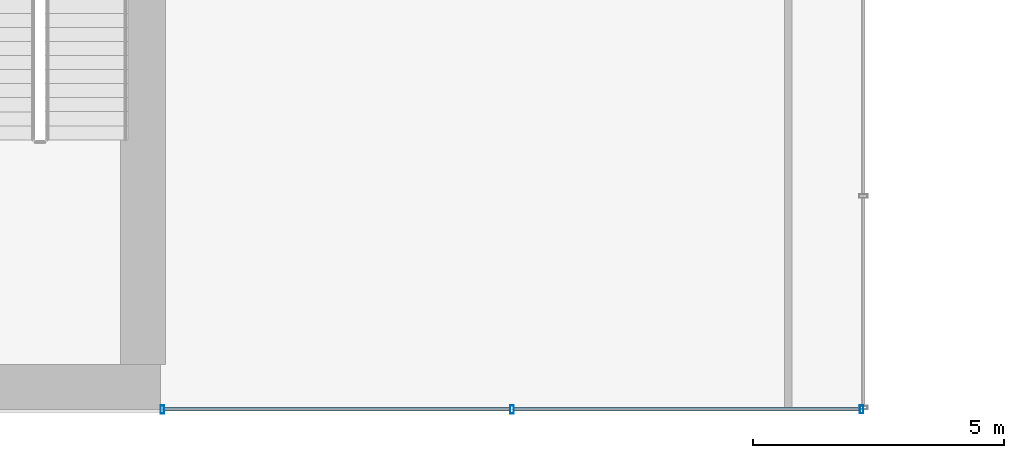
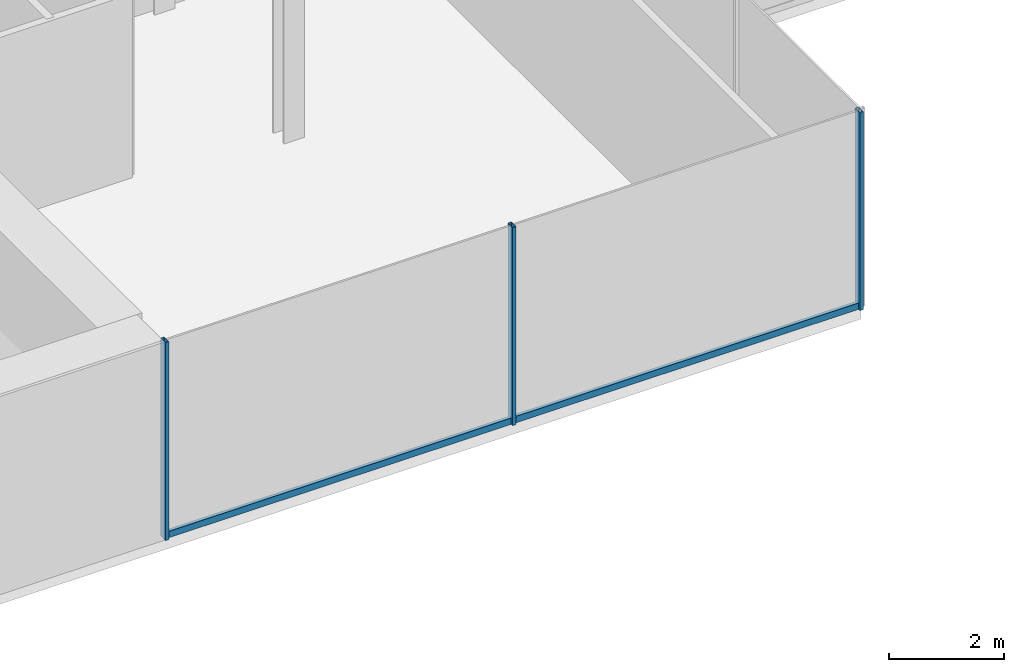
# One storey, part 8 of 35: 5 members, 1 element without a shape of its own.
"""IFC4 building model written with IfcOpenShell, lengths in metres."""

from ifc_helpers import new_model, si_unit, derived_unit, direction, frame, origin, origin_2d, place, context, subcontext, project, spatial, hollow_rectangle, extrude, source, transform, mapped, material, material_profile, profile_set, type_object, element, aggregate, save


model = new_model("IFC4")

# Units and contexts
model_context = context("Model", 3, precision=1e-05, world=origin(), true_north=direction((0.0, 1.0)))
body_context = subcontext(model_context, "Body", "Model", "MODEL_VIEW")
ifc_project = project(units=[si_unit("LENGTHUNIT", "METRE"), si_unit("AREAUNIT", "SQUARE_METRE"), si_unit("VOLUMEUNIT", "CUBIC_METRE"), si_unit("PLANEANGLEUNIT", "RADIAN"), si_unit("MASSUNIT", "GRAM", prefix="KILO"), derived_unit("THERMALTRANSMITTANCEUNIT", [(si_unit("POWERUNIT", "WATT"), 1), (si_unit("LENGTHUNIT", "METRE"), -2), (si_unit("THERMODYNAMICTEMPERATUREUNIT", "KELVIN"), -1)])], contexts=[model_context])

# Site, building, storey
site_placement = place(None, origin())
site = spatial("IfcSite", under=ifc_project, at=site_placement, CompositionType="ELEMENT")
building_placement = place(site_placement, origin())
building = spatial("IfcBuilding", under=site, at=building_placement, Name="Skarnbrae Concourse Arena and Tower", CompositionType="ELEMENT")
storey_placement = place(building_placement, frame((0.0, 0.0, 79.949951171875)))
storey = spatial("IfcBuildingStorey", under=building, at=storey_placement, Name="L19", CompositionType="ELEMENT", Elevation=79.949951171875)

# Curtain wall, members
ifc_material = material(Name="Bronze anodised aluminium 6063-T6", Category="aluminium")
curtain_wall_type = type_object("IfcCurtainWallType", Name="CW-SYS-06-SKYLOBBY", PredefinedType="USERDEFINED", material=ifc_material)
curtain_wall_placement = place(storey_placement, origin())
curtain_wall = element("IfcCurtainWall", 1, at=curtain_wall_placement, inside=storey, type_object=curtain_wall_type, Name="L19 Unitised curtain wall CW-L19-SE-SPINE", ObjectType="UNITISED CURTAIN WALL", PredefinedType="USERDEFINED")
ifc_material_profile_1 = material_profile(ifc_material, hollow_rectangle(XDim=0.070068359375, YDim=0.1650390625, WallThickness=0.00390625, at=origin_2d()), Name="ALU-MULL-70X165")
ifc_profile_set_1 = profile_set([ifc_material_profile_1], Name="Bronze anodised aluminium 6063-T6")
member_type_1 = type_object("IfcMemberType", Name="CWM-CW-06", PredefinedType="MULLION", material=ifc_profile_set_1)
shared_shape_1 = source(origin(), body_context, "Body", "SweptSolid", [
    extrude(hollow_rectangle(XDim=0.070068359375, YDim=0.1650390625, WallThickness=0.00390625, at=origin_2d()), origin(), (0.0, 0.0, 1.0), 4.199951171875),
])
member_1_placement = place(storey_placement, frame((34.034912109375, 0.0, 0.0), z_axis=(0.0, 0.0, 1.0), x_axis=(1.0, 0.0, 0.0)))
member_1 = element("IfcMember", 2, at=member_1_placement, type_object=member_type_1, Name="CW-L19-SE-SPINE Mullion 1", PredefinedType="MULLION", context=body_context, shape_type="MappedRepresentation", body=[
    mapped(shared_shape_1, transform((0.0, 0.0, 0.0))),
])
member_2_placement = place(storey_placement, frame((41.0, 0.0, 0.0), z_axis=(0.0, 0.0, 1.0), x_axis=(1.0, 0.0, 0.0)))
member_2 = element("IfcMember", 3, at=member_2_placement, type_object=member_type_1, Name="CW-L19-SE-SPINE Mullion 2", PredefinedType="MULLION", context=body_context, shape_type="MappedRepresentation", body=[
    mapped(shared_shape_1, transform((0.0, 0.0, 0.0))),
])
member_3_placement = place(storey_placement, frame((47.965087890625, 0.0, 0.0), z_axis=(0.0, 0.0, 1.0), x_axis=(1.0, 0.0, 0.0)))
member_3 = element("IfcMember", 4, at=member_3_placement, type_object=member_type_1, Name="CW-L19-SE-SPINE Mullion 3", PredefinedType="MULLION", context=body_context, shape_type="MappedRepresentation", body=[
    mapped(shared_shape_1, transform((0.0, 0.0, 0.0))),
])
ifc_material_profile_2 = material_profile(ifc_material, hollow_rectangle(XDim=0.070068359375, YDim=0.135009765625, WallThickness=0.00390625, at=origin_2d()), Name="ALU-TRAN-70X135")
ifc_profile_set_2 = profile_set([ifc_material_profile_2], Name="Bronze anodised aluminium 6063-T6")
member_type_2 = type_object("IfcMemberType", Name="CWT-CW-06", PredefinedType="USERDEFINED", material=ifc_profile_set_2)
shared_shape_2 = source(origin(), body_context, "Body", "SweptSolid", [
    extrude(hollow_rectangle(XDim=0.070068359375, YDim=0.135009765625, WallThickness=0.00390625, at=origin_2d()), origin(), (0.0, 0.0, 1.0), 6.89501953125),
])
member_4_placement = place(storey_placement, frame((34.070068359375, 0.0, 0.067626953125), z_axis=(1.0, 0.0, 0.0), x_axis=(0.0, 1.0, 0.0)))
member_4 = element("IfcMember", 5, at=member_4_placement, type_object=member_type_2, Name="CW-L19-SE-SPINE Transom 1", ObjectType="TRANSOM", PredefinedType="USERDEFINED", context=body_context, shape_type="MappedRepresentation", body=[
    mapped(shared_shape_2, transform((0.0, 0.0, 0.0))),
])
member_5_placement = place(storey_placement, frame((41.034912109375, 0.0, 0.067626953125), z_axis=(1.0, 0.0, 0.0), x_axis=(0.0, 1.0, 0.0)))
member_5 = element("IfcMember", 6, at=member_5_placement, type_object=member_type_2, Name="CW-L19-SE-SPINE Transom 2", ObjectType="TRANSOM", PredefinedType="USERDEFINED", context=body_context, shape_type="MappedRepresentation", body=[
    mapped(shared_shape_2, transform((0.0, 0.0, 0.0))),
])
aggregate(curtain_wall, [member_1, member_2, member_3, member_4, member_5])

save(model, "model.ifc")
